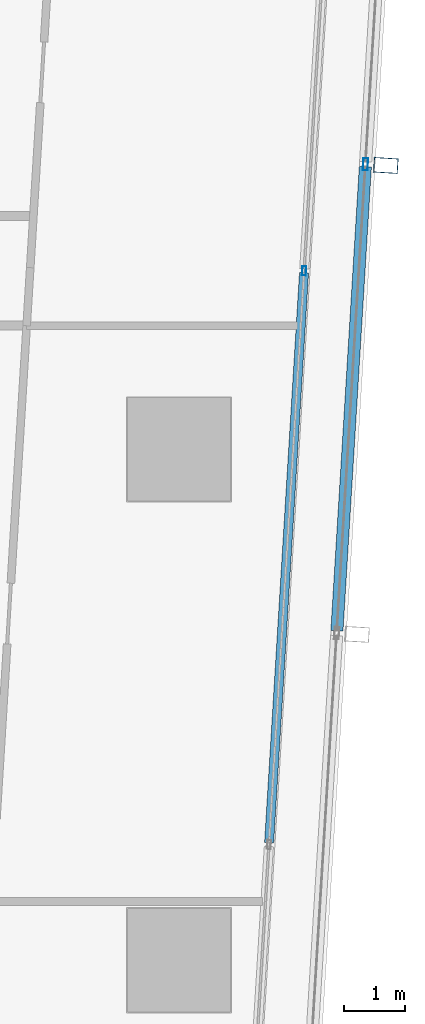
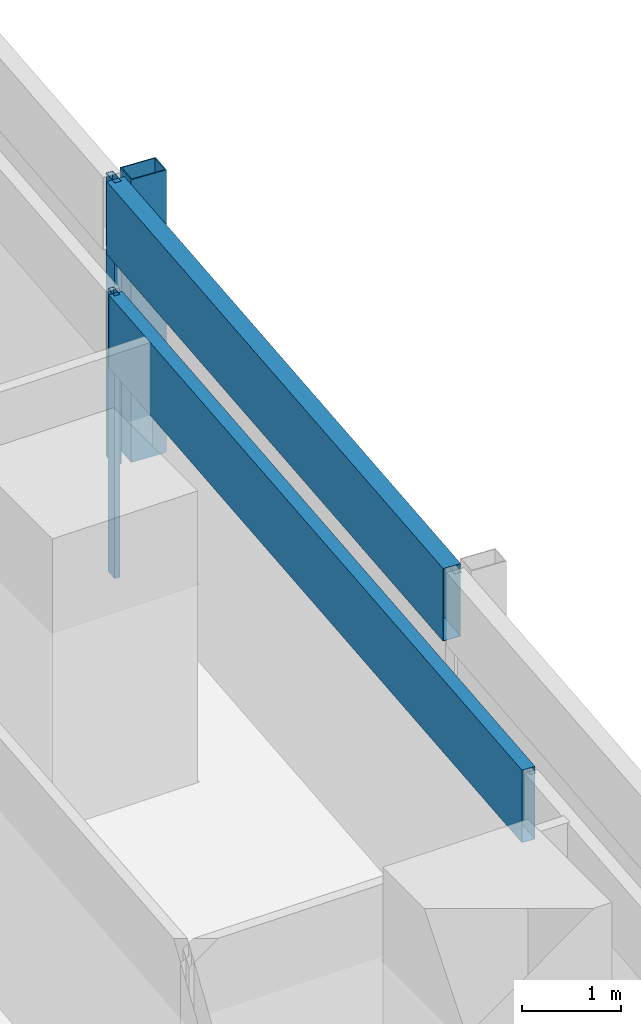
# One storey, part 24 of 40: 5 members, 2 elements without a shape of their own.
"""IFC4 building model written with IfcOpenShell, lengths in metres."""

from ifc_helpers import new_model, si_unit, direction, frame, origin, origin_2d, place, context, subcontext, project, spatial, hollow_rectangle, extrude, material, material_profile, profile_set, type_object, element, aggregate, save


model = new_model("IFC4")

# Units and contexts
model_context = context("Model", 3, precision=1e-05, world=origin(), true_north=direction((0.0, 1.0)))
body_context = subcontext(model_context, "Body", "Model", "MODEL_VIEW")
ifc_project = project(units=[si_unit("LENGTHUNIT", "METRE"), si_unit("AREAUNIT", "SQUARE_METRE"), si_unit("VOLUMEUNIT", "CUBIC_METRE"), si_unit("PLANEANGLEUNIT", "RADIAN"), si_unit("MASSUNIT", "GRAM", prefix="KILO")], contexts=[model_context])

# Site, building, storey
site_placement = place(None, origin())
site = spatial("IfcSite", under=ifc_project, at=site_placement, CompositionType="ELEMENT")
building_placement = place(site_placement, origin())
building = spatial("IfcBuilding", under=site, at=building_placement, Name="Rekha Terrace Tower", CompositionType="ELEMENT")
storey_placement = place(building_placement, frame((0.0, 0.0, 102.800048828125)))
storey = spatial("IfcBuildingStorey", under=building, at=storey_placement, Name="L25", CompositionType="ELEMENT", Elevation=102.800048828125)

# Curtain wall, member
ifc_material_1 = material(Name="Aluminium framing", Category="aluminium")
curtain_wall_type_1 = type_object("IfcCurtainWallType", Name="CW2 double skin outer glazing", PredefinedType="USERDEFINED", material=ifc_material_1)
curtain_wall_1_placement = place(storey_placement, origin())
curtain_wall_1 = element("IfcCurtainWall", 1, at=curtain_wall_1_placement, inside=storey, type_object=curtain_wall_type_1, Name="CW2 double skin outer glazing", ObjectType="DOUBLE SKIN OUTER GLAZING", PredefinedType="USERDEFINED")
ifc_material_2 = material(Name="Steel S355 with fluorocarbon finish", Category="steel")
ifc_material_profile_1 = material_profile(ifc_material_2, hollow_rectangle(XDim=0.25, YDim=0.39990234375, WallThickness=0.012451171875, at=origin_2d()), Name="RHS400x250x12.5")
ifc_profile_set_1 = profile_set([ifc_material_profile_1], Name="Steel S355 with fluorocarbon finish")
member_type_1 = type_object("IfcMemberType", Name="BL1 facade blade RHS 400 x 250", PredefinedType="USERDEFINED", material=ifc_profile_set_1)
member_1_placement = place(storey_placement, frame((70.601318359375, 38.27001953125, 0.0), z_axis=(0.0, 0.0, 1.0), x_axis=(0.061160031881, 0.998127973008, 0.0)))
member_1 = element("IfcMember", 2, at=member_1_placement, type_object=member_type_1, Name="Facade blade", ObjectType="FACADE BLADE", PredefinedType="USERDEFINED", context=body_context, shape_type="SweptSolid", body=[
    extrude(hollow_rectangle(XDim=0.25, YDim=0.39990234375, WallThickness=0.012451171875, at=origin_2d()), origin(), (0.0, 0.0, 1.0), 3.5),
])

# Curtain wall, members
curtain_wall_type_2 = type_object("IfcCurtainWallType", Name="CW1 double skin inner glazing", PredefinedType="USERDEFINED", material=ifc_material_1)
curtain_wall_2_placement = place(storey_placement, origin())
curtain_wall_2 = element("IfcCurtainWall", 3, at=curtain_wall_2_placement, inside=storey, type_object=curtain_wall_type_2, Name="CW1 double skin inner glazing", ObjectType="DOUBLE SKIN INNER GLAZING", PredefinedType="USERDEFINED")
ifc_material_3 = material(Name="Aluminium mullion section", Category="aluminium")
ifc_material_profile_2 = material_profile(ifc_material_3, hollow_rectangle(XDim=0.06494140625, YDim=0.14990234375, WallThickness=0.00390625, at=origin_2d()), Name="AL RHS 65x150")
ifc_profile_set_2 = profile_set([ifc_material_profile_2], Name="Aluminium mullion section")
member_type_2 = type_object("IfcMemberType", Name="CW1 mullion RHS 65 x 150", PredefinedType="MULLION", material=ifc_profile_set_2)
member_2_placement = place(storey_placement, frame((69.257568359375, 36.53662109375, 0.0), z_axis=(0.0, 0.0, 1.0), x_axis=(-0.998127987024, 0.061159803131, 0.0)))
member_2 = element("IfcMember", 4, at=member_2_placement, type_object=member_type_2, Name="CW1 mullion 3", PredefinedType="MULLION", context=body_context, shape_type="SweptSolid", body=[
    extrude(hollow_rectangle(XDim=0.06494140625, YDim=0.14990234375, WallThickness=0.00390625, at=origin_2d()), origin(), (0.0, 0.0, 1.0), 3.5),
])
ifc_material_4 = material(Name="Insulated aluminium spandrel box", Category="aluminium")
ifc_material_profile_3 = material_profile(ifc_material_4, hollow_rectangle(XDim=0.14990234375, YDim=0.89990234375, WallThickness=0.0029296875, at=origin_2d()), Name="AL SPANDREL BOX 150x900")
ifc_profile_set_3 = profile_set([ifc_material_profile_3], Name="Insulated aluminium spandrel box")
member_type_3 = type_object("IfcMemberType", Name="CW1 spandrel transom 150 x 900", PredefinedType="USERDEFINED", material=ifc_profile_set_3)
member_3_placement = place(storey_placement, frame((68.681640625, 27.13427734375, 3.050048828125), z_axis=(0.061141260248, 0.998129123057, 0.0), x_axis=(-0.998129123057, 0.061141260248, 0.0)))
member_3 = element("IfcMember", 5, at=member_3_placement, type_object=member_type_3, Name="CW1 spandrel transom 2", ObjectType="TRANSOM", PredefinedType="USERDEFINED", context=body_context, shape_type="SweptSolid", body=[
    extrude(hollow_rectangle(XDim=0.14990234375, YDim=0.89990234375, WallThickness=0.0029296875, at=origin_2d()), origin(), (0.0, 0.0, 1.0), 9.3876953125),
])
aggregate(curtain_wall_2, [member_2, member_3])

# Member
ifc_material_profile_4 = material_profile(ifc_material_3, hollow_rectangle(XDim=0.080078125, YDim=0.199951171875, WallThickness=0.00390625, at=origin_2d()), Name="AL RHS 80x200")
ifc_profile_set_4 = profile_set([ifc_material_profile_4], Name="Aluminium mullion section")
member_type_4 = type_object("IfcMemberType", Name="CW2 mullion RHS 80 x 200", PredefinedType="MULLION", material=ifc_profile_set_4)
member_4_placement = place(storey_placement, frame((70.266845703125, 38.29052734375, 0.0), z_axis=(0.0, 0.0, 1.0), x_axis=(-0.998127987024, 0.061159803131, 0.0)))
member_4 = element("IfcMember", 6, at=member_4_placement, type_object=member_type_4, Name="CW2 mullion 4", PredefinedType="MULLION", context=body_context, shape_type="SweptSolid", body=[
    extrude(hollow_rectangle(XDim=0.080078125, YDim=0.199951171875, WallThickness=0.00390625, at=origin_2d()), origin(), (0.0, 0.0, 1.0), 3.5),
])

ifc_material_profile_5 = material_profile(ifc_material_4, hollow_rectangle(XDim=0.199951171875, YDim=0.89990234375, WallThickness=0.0029296875, at=origin_2d()), Name="AL SPANDREL BOX 200x900")
ifc_profile_set_5 = profile_set([ifc_material_profile_5], Name="Insulated aluminium spandrel box")
member_type_5 = type_object("IfcMemberType", Name="CW2 spandrel transom 200 x 900", PredefinedType="USERDEFINED", material=ifc_profile_set_5)
member_5_placement = place(storey_placement, frame((69.796630859375, 30.618408203125, 3.050048828125), z_axis=(0.061175629852, 0.998127017124, 0.0), x_axis=(-0.998127017124, 0.061175629852, 0.0)))
member_5 = element("IfcMember", 7, at=member_5_placement, type_object=member_type_5, Name="CW2 spandrel transom 3", ObjectType="TRANSOM", PredefinedType="USERDEFINED", context=body_context, shape_type="SweptSolid", body=[
    extrude(hollow_rectangle(XDim=0.199951171875, YDim=0.89990234375, WallThickness=0.0029296875, at=origin_2d()), origin(), (0.0, 0.0, 1.0), 7.646484375),
])

aggregate(curtain_wall_1, [member_4, member_5, member_1])

save(model, "model.ifc")
